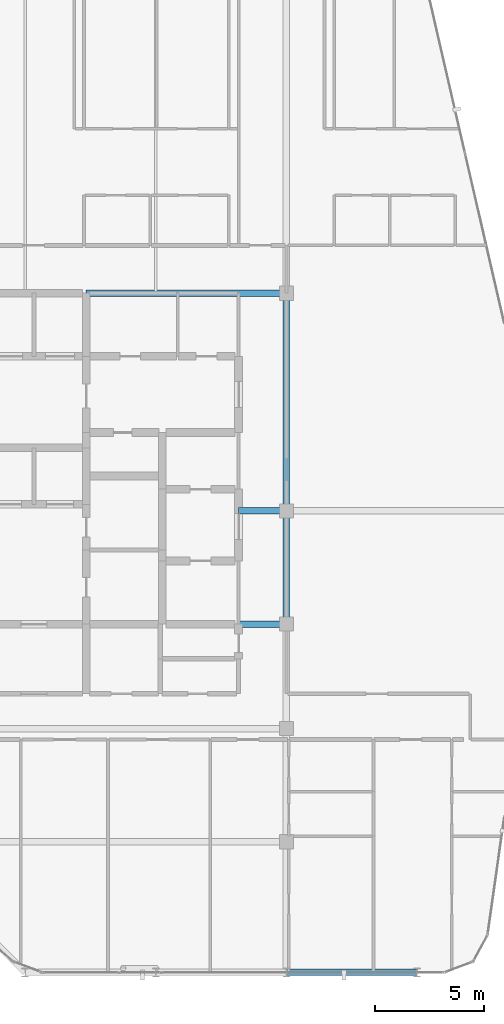
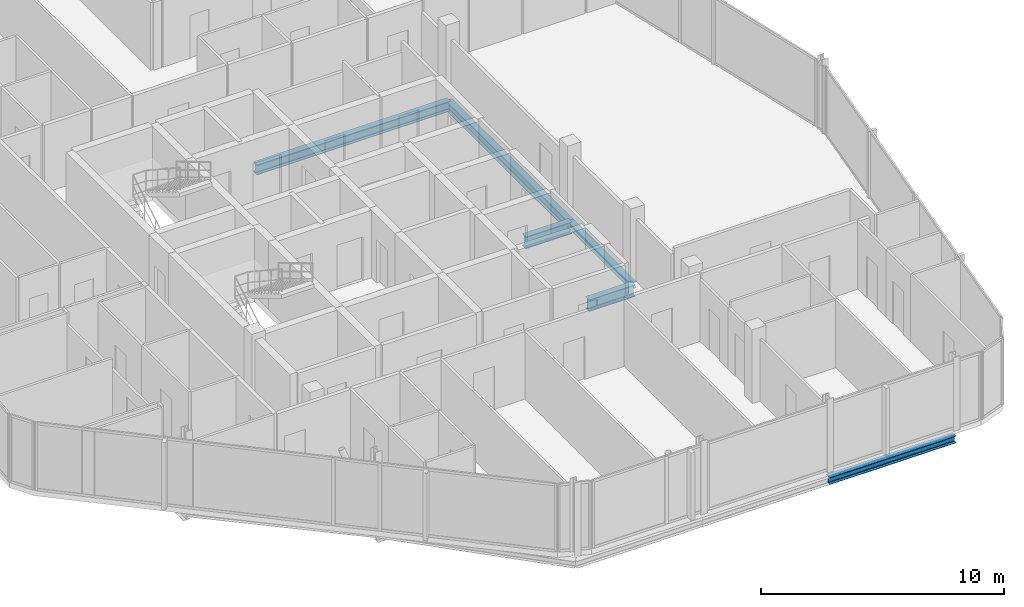
# One storey, part 11 of 27: 6 beams.
"""IFC4 building model written with IfcOpenShell, lengths in metres."""

from ifc_helpers import new_model, si_unit, direction, frame, origin, origin_2d, place, context, subcontext, project, spatial, i_section, extrude, material, material_profile, profile_set, type_object, element, save


model = new_model("IFC4")

# Units and contexts
model_context = context("Model", 3, precision=1e-05, world=origin(), true_north=direction((0.0, 1.0)))
body_context = subcontext(model_context, "Body", "Model", "MODEL_VIEW")
ifc_project = project(units=[si_unit("LENGTHUNIT", "METRE"), si_unit("AREAUNIT", "SQUARE_METRE"), si_unit("VOLUMEUNIT", "CUBIC_METRE"), si_unit("PLANEANGLEUNIT", "RADIAN"), si_unit("MASSUNIT", "GRAM", prefix="KILO")], contexts=[model_context])

# Site, building, storey
site_placement = place(None, origin())
site = spatial("IfcSite", under=ifc_project, at=site_placement, CompositionType="ELEMENT")
building_placement = place(site_placement, origin())
building = spatial("IfcBuilding", under=site, at=building_placement, Name="Keshet Zoharim Tower", CompositionType="ELEMENT")
storey_placement = place(building_placement, frame((0.0, 0.0, 288.0)))
storey = spatial("IfcBuildingStorey", under=building, at=storey_placement, Name="L72", CompositionType="ELEMENT", Elevation=288.0)

# Beams
ifc_material = material(Name="Steel S355", Category="steel")
ifc_material_profile_1 = material_profile(ifc_material, i_section(OverallWidth=0.300048828125, OverallDepth=0.60009765625, WebThickness=0.015380859375, FlangeThickness=0.030029296875, FilletRadius=0.027099609375, at=origin_2d()), Name="HEB600")
ifc_profile_set_1 = profile_set([ifc_material_profile_1], Name="Steel S355")
beam_type_1 = type_object("IfcBeamType", Name="BM-CLK-HB600", PredefinedType="BEAM", material=ifc_profile_set_1)
for number, where, z_axis, x_axis, name in (
    (1, (30.800048828125, 22.699951171875, -0.610107421875), (1.0, 0.0, 0.0), (0.0, 1.0, 0.0), "L72 Core Wall Link Girder 01"),
    (2, (30.800048828125, 27.89990234375, -0.610107421875), (1.0, 0.0, 0.0), (0.0, 1.0, 0.0), "L72 Core Wall Link Girder 02"),
):
    element("IfcBeam", number, at=place(storey_placement, frame(where, z_axis=z_axis, x_axis=x_axis)), inside=storey, type_object=beam_type_1, Name=name, PredefinedType="BEAM", context=body_context, shape_type="SweptSolid", body=[
        extrude(i_section(OverallWidth=0.300048828125, OverallDepth=0.60009765625, WebThickness=0.015380859375, FlangeThickness=0.030029296875, FilletRadius=0.027099609375, at=origin_2d()), origin(), (0.0, 0.0, 1.0), 2.199951171875),
    ])
ifc_material_profile_2 = material_profile(ifc_material, i_section(OverallWidth=0.300048828125, OverallDepth=0.5, WebThickness=0.014404296875, FlangeThickness=0.028076171875, FilletRadius=0.027099609375, at=origin_2d()), Name="HEB500")
ifc_profile_set_2 = profile_set([ifc_material_profile_2], Name="Steel S355")
beam_type_2 = type_object("IfcBeamType", Name="BM-MED-HB500", PredefinedType="BEAM", material=ifc_profile_set_2)
beam_1_placement = place(storey_placement, frame((23.800048828125, 37.89990234375, -0.56005859375), z_axis=(1.0, 0.0, 0.0), x_axis=(0.0, 1.0, 0.0)))
element("IfcBeam", 3, at=beam_1_placement, inside=storey, type_object=beam_type_2, Name="L72 Primary Girder X-009", PredefinedType="BEAM", context=body_context, shape_type="SweptSolid", body=[
    extrude(i_section(OverallWidth=0.300048828125, OverallDepth=0.5, WebThickness=0.014404296875, FlangeThickness=0.028076171875, FilletRadius=0.027099609375, at=origin_2d()), origin(), (0.0, 0.0, 1.0), 9.199951171875),
])
beam_2_placement = place(storey_placement, frame((33.0, 27.89990234375, -0.56005859375), z_axis=(0.0, 1.0, 0.0), x_axis=(-1.0, 0.0, 0.0)))
element("IfcBeam", 4, at=beam_2_placement, inside=storey, type_object=beam_type_2, Name="L72 Primary Girder Y-008", PredefinedType="BEAM", context=body_context, shape_type="SweptSolid", body=[
    extrude(i_section(OverallWidth=0.300048828125, OverallDepth=0.5, WebThickness=0.014404296875, FlangeThickness=0.028076171875, FilletRadius=0.027099609375, at=origin_2d()), origin(), (0.0, 0.0, 1.0), 10.0),
])
ifc_material_profile_3 = material_profile(ifc_material, i_section(OverallWidth=0.300048828125, OverallDepth=0.2900390625, WebThickness=0.008544921875, FlangeThickness=0.013916015625, FilletRadius=0.027099609375, at=origin_2d()), Name="HEA300")
ifc_profile_set_3 = profile_set([ifc_material_profile_3], Name="Steel S355")
beam_type_3 = type_object("IfcBeamType", Name="BM-PRI-HA300", PredefinedType="BEAM", material=ifc_profile_set_3)
beam_3_placement = place(storey_placement, frame((33.0, 22.699951171875, -0.455078125), z_axis=(0.0, 1.0, 0.0), x_axis=(-1.0, 0.0, 0.0)))
element("IfcBeam", 5, at=beam_3_placement, inside=storey, type_object=beam_type_3, Name="L72 Primary Girder Y-007", PredefinedType="BEAM", context=body_context, shape_type="SweptSolid", body=[
    extrude(i_section(OverallWidth=0.300048828125, OverallDepth=0.2900390625, WebThickness=0.008544921875, FlangeThickness=0.013916015625, FilletRadius=0.027099609375, at=origin_2d()), origin(), (0.0, 0.0, 1.0), 5.199951171875),
])
ifc_material_profile_4 = material_profile(ifc_material, i_section(OverallWidth=0.300048828125, OverallDepth=0.35009765625, WebThickness=0.010009765625, FlangeThickness=0.017578125, FilletRadius=0.027099609375, at=origin_2d()), Name="HEA360")
ifc_profile_set_4 = profile_set([ifc_material_profile_4], Name="Steel S355")
beam_type_4 = type_object("IfcBeamType", Name="BM-PRI-HA360", PredefinedType="BEAM", material=ifc_profile_set_4)
beam_4_placement = place(storey_placement, frame((33.0, 6.699951171875, -0.485107421875), z_axis=(1.0, 0.0, 0.0), x_axis=(0.0, 1.0, 0.0)))
element("IfcBeam", 6, at=beam_4_placement, inside=storey, type_object=beam_type_4, Name="L72 Primary Girder X-003", PredefinedType="BEAM", context=body_context, shape_type="SweptSolid", body=[
    extrude(i_section(OverallWidth=0.300048828125, OverallDepth=0.35009765625, WebThickness=0.010009765625, FlangeThickness=0.017578125, FilletRadius=0.027099609375, at=origin_2d()), origin(), (0.0, 0.0, 1.0), 6.0),
])

save(model, "model.ifc")
